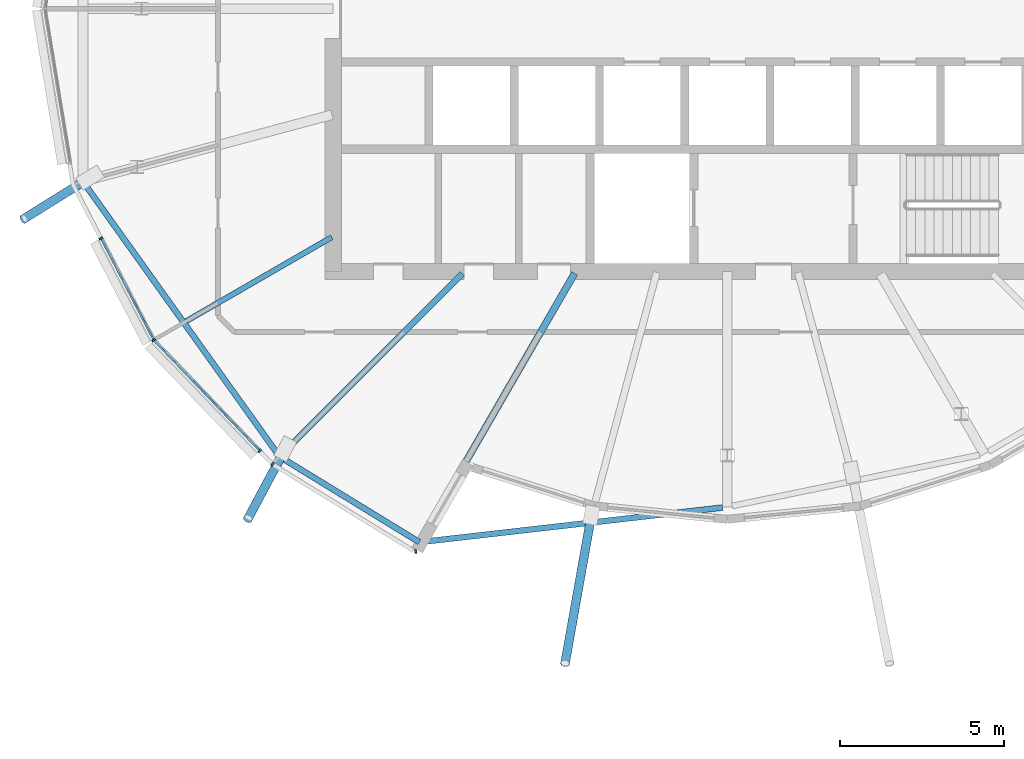
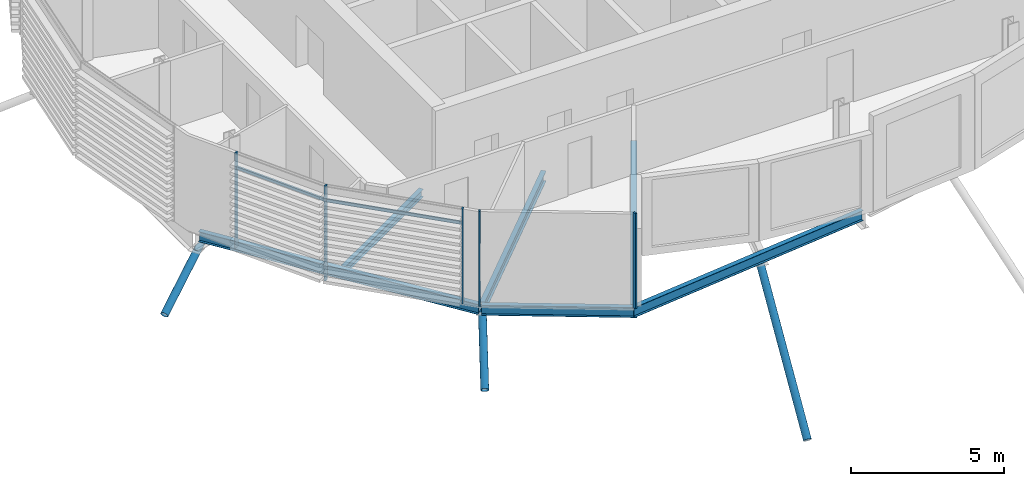
# One storey, part 3 of 35: 10 members, 6 beams, 1 element without a shape of its own.
"""IFC4 building model written with IfcOpenShell, lengths in metres."""

from ifc_helpers import new_model, si_unit, direction, frame, origin, origin_2d, place, context, subcontext, project, spatial, rectangle, hollow_circle, i_section, extrude, clip, halfspace, material, material_profile, profile_set, type_object, element, aggregate, save


model = new_model("IFC4")

# Units and contexts
model_context = context("Model", 3, precision=1e-05, world=origin(), true_north=direction((0.0, 1.0)))
body_context = subcontext(model_context, "Body", "Model", "MODEL_VIEW")
ifc_project = project(units=[si_unit("LENGTHUNIT", "METRE"), si_unit("AREAUNIT", "SQUARE_METRE"), si_unit("VOLUMEUNIT", "CUBIC_METRE"), si_unit("PLANEANGLEUNIT", "RADIAN"), si_unit("MASSUNIT", "GRAM", prefix="KILO")], contexts=[model_context])

# Site, building, storey
site_placement = place(None, origin())
site = spatial("IfcSite", under=ifc_project, at=site_placement, CompositionType="ELEMENT")
building_placement = place(site_placement, origin())
building = spatial("IfcBuilding", under=site, at=building_placement, Name="Rimbun Link Towers", CompositionType="ELEMENT")
storey_placement = place(building_placement, frame((0.0, 0.0, 225.699951171875)))
storey = spatial("IfcBuildingStorey", under=building, at=storey_placement, Name="L55", CompositionType="ELEMENT", Elevation=225.699951171875)

# Curtain wall, members
ifc_material_1 = material(Name="Aluminium 6063-T6 and low-iron glass", Category="aluminium")
curtain_wall_type = type_object("IfcCurtainWallType", Name="CW1-Z4 unitised vision wall (zone 4)", PredefinedType="NOTDEFINED", material=ifc_material_1)
curtain_wall_placement = place(storey_placement, origin())
curtain_wall = element("IfcCurtainWall", 1, at=curtain_wall_placement, inside=storey, type_object=curtain_wall_type, Name="CW1 L55 T1", PredefinedType="NOTDEFINED")
ifc_material_2 = material(Name="Aluminium 6063-T6", Category="aluminium")
ifc_material_profile_1 = material_profile(ifc_material_2, rectangle(XDim=0.1201171875, YDim=0.06005859375, at=origin_2d()), Name="MULLION 60X120")
ifc_profile_set_1 = profile_set([ifc_material_profile_1], Name="Aluminium 6063-T6")
member_type_1 = type_object("IfcMemberType", Name="CW1 mullion 60X120", PredefinedType="MULLION", material=ifc_profile_set_1)
member_1_placement = place(storey_placement, frame((-49.217041015625, -10.09130859375, 0.0), z_axis=(0.0, 0.0, 1.0), x_axis=(-0.813353544339, -0.581769724128, 0.0)))
member_1 = element("IfcMember", 2, at=member_1_placement, type_object=member_type_1, Name="CW1 mullion", PredefinedType="MULLION", context=body_context, shape_type="SweptSolid", body=[
    extrude(rectangle(XDim=0.1201171875, YDim=0.06005859375, at=origin_2d()), origin(), (0.0, 0.0, 1.0), 3.800048828125),
])
member_2_placement = place(storey_placement, frame((-50.8203125, -6.994140625, 0.0), z_axis=(0.0, 0.0, 1.0), x_axis=(-0.888152943593, -0.459547983117, 0.0)))
member_2 = element("IfcMember", 3, at=member_2_placement, type_object=member_type_1, Name="CW1 mullion", PredefinedType="MULLION", context=body_context, shape_type="SweptSolid", body=[
    extrude(rectangle(XDim=0.1201171875, YDim=0.06005859375, at=origin_2d()), origin(), (0.0, 0.0, 1.0), 3.800048828125),
])
member_3_placement = place(storey_placement, frame((-45.989013671875, -13.45947265625, 0.0), z_axis=(0.0, 0.0, 1.0), x_axis=(-0.721853472084, -0.692045926829, 0.0)))
member_3 = element("IfcMember", 4, at=member_3_placement, type_object=member_type_1, Name="CW1 mullion", PredefinedType="MULLION", context=body_context, shape_type="SweptSolid", body=[
    extrude(rectangle(XDim=0.1201171875, YDim=0.06005859375, at=origin_2d()), origin(), (0.0, 0.0, 1.0), 3.800048828125),
])
member_4_placement = place(storey_placement, frame((-41.239501953125, -16.52001953125, 0.0), z_axis=(0.0, 0.0, 1.0), x_axis=(0.245735205797, -0.969336994359, 0.0)))
member_4 = element("IfcMember", 5, at=member_4_placement, type_object=member_type_1, Name="CW1 mullion", PredefinedType="MULLION", context=body_context, shape_type="SweptSolid", body=[
    extrude(rectangle(XDim=0.1201171875, YDim=0.06005859375, at=origin_2d()), origin(), (0.0, 0.0, 1.0), 3.800048828125),
])
member_5_placement = place(storey_placement, frame((-45.596435546875, -13.8662109375, 0.0), z_axis=(0.0, 0.0, 1.0), x_axis=(-0.523236839844, -0.852187308888, 0.0)))
member_5 = element("IfcMember", 6, at=member_5_placement, type_object=member_type_1, Name="CW1 mullion", PredefinedType="MULLION", context=body_context, shape_type="SweptSolid", body=[
    extrude(rectangle(XDim=0.1201171875, YDim=0.06005859375, at=origin_2d()), origin(), (0.0, 0.0, 1.0), 3.800048828125),
])
ifc_material_3 = material(Name="Aluminium 6063-T6", Category="aluminium")
ifc_material_profile_2 = material_profile(ifc_material_3, rectangle(XDim=0.06005859375, YDim=0.1201171875, at=origin_2d()), Name="TRANSOM 60X120")
ifc_profile_set_2 = profile_set([ifc_material_profile_2], Name="Aluminium 6063-T6")
member_type_2 = type_object("IfcMemberType", Name="CW1 transom 60X120", PredefinedType="USERDEFINED", material=ifc_profile_set_2)
member_6_placement = place(storey_placement, frame((-49.233642578125, -10.056396484375, 3.199951171875), z_axis=(-0.459566661911, 0.888143278565, 0.0), x_axis=(-0.888143278565, -0.459566661911, 0.0)))
member_6 = element("IfcMember", 7, at=member_6_placement, type_object=member_type_2, Name="CW1 transom", ObjectType="TRANSOM", PredefinedType="USERDEFINED", context=body_context, shape_type="SweptSolid", body=[
    extrude(rectangle(XDim=0.06005859375, YDim=0.1201171875, at=origin_2d()), origin(), (0.0, 0.0, 1.0), 3.4189453125),
])
member_7_placement = place(storey_placement, frame((-46.00830078125, -13.4365234375, 3.199951171875), z_axis=(-0.692051852121, 0.721847791418, 0.0), x_axis=(-0.721847791418, -0.692051852121, 0.0)))
member_7 = element("IfcMember", 8, at=member_7_placement, type_object=member_type_2, Name="CW1 transom", ObjectType="TRANSOM", PredefinedType="USERDEFINED", context=body_context, shape_type="SweptSolid", body=[
    extrude(rectangle(XDim=0.06005859375, YDim=0.1201171875, at=origin_2d()), origin(), (0.0, 0.0, 1.0), 4.5966796875),
])
aggregate(curtain_wall, [member_1, member_2, member_3, member_4, member_5, member_6, member_7])

# Members
ifc_material_4 = material(Name="Steel S355J2H", Category="steel")
ifc_material_profile_3 = material_profile(ifc_material_4, hollow_circle(Radius=0.136474609375, WallThickness=0.012451171875, at=origin_2d()), Name="CHS 273x12.5")
ifc_profile_set_3 = profile_set([ifc_material_profile_3], Name="Steel S355J2H")
member_type_3 = type_object("IfcMemberType", Name="Floor edge link CHS 273x12.5", PredefinedType="BRACE", material=ifc_profile_set_3)
member_8_placement = place(storey_placement, frame((-51.32177734375, -5.244140625, -1.101806640625), z_axis=(-0.756129769658, -0.471620925618, -0.453697557803), x_axis=(0.529223919494, -0.848482199598, 0.0)))
element("IfcMember", 9, at=member_8_placement, inside=storey, type_object=member_type_3, Name="Floor edge link T1 L55 13", PredefinedType="BRACE", context=body_context, shape_type="Clipping", body=[
    clip(extrude(hollow_circle(Radius=0.136474609375, WallThickness=0.012451171875, at=origin_2d()), frame((0.0, 0.0, -0.558349609375)), (0.0, 0.0, 1.0), 3.037353515625), halfspace(frame((0.0, 0.0, -0.2626953125), z_axis=(0.0, 0.891155724912, -0.453697557803)), False)),
])
member_9_placement = place(storey_placement, frame((-45.282470703125, -13.532470703125, -0.661865234375), z_axis=(-0.400322430345, -0.749653564697, -0.527030819497), x_axis=(0.882105008873, -0.471052813727, 0.0)))
element("IfcMember", 10, at=member_9_placement, inside=storey, type_object=member_type_3, Name="Floor edge link T1 L55 15", PredefinedType="BRACE", context=body_context, shape_type="Clipping", body=[
    clip(extrude(hollow_circle(Radius=0.136474609375, WallThickness=0.012451171875, at=origin_2d()), frame((0.0, 0.0, -0.459228515625)), (0.0, 0.0, 1.0), 3.15478515625), halfspace(frame((0.0, 0.0, -0.21533203125), z_axis=(0.0, 0.849846171551, -0.527030819497)), False)),
])
member_10_placement = place(storey_placement, frame((-35.905029296875, -15.506591796875, -0.775634765625), z_axis=(-0.130568529088, -0.733204947556, -0.667354751307), x_axis=(0.984511330804, -0.175320961434, 0.0)))
element("IfcMember", 11, at=member_10_placement, inside=storey, type_object=member_type_3, Name="Floor edge link T1 L55 17", PredefinedType="BRACE", context=body_context, shape_type="Clipping", body=[
    clip(extrude(hollow_circle(Radius=0.136474609375, WallThickness=0.012451171875, at=origin_2d()), frame((0.0, 0.0, -0.319580078125)), (0.0, 0.0, 1.0), 6.359130859375), halfspace(frame((0.0, 0.0, -0.150634765625), z_axis=(0.0, 0.744739978723, -0.667354751307)), False)),
])

# Beams
ifc_material_5 = material(Name="Steel S355J2", Category="steel")
ifc_material_profile_4 = material_profile(ifc_material_5, i_section(OverallWidth=0.1650390625, OverallDepth=0.303466796875, WebThickness=0.006103515625, FlangeThickness=0.01025390625, at=origin_2d()), Name="UB 305x165x40")
ifc_profile_set_4 = profile_set([ifc_material_profile_4], Name="Steel S355J2")
beam_type_1 = type_object("IfcBeamType", Name="UB 305x165x40", PredefinedType="BEAM", material=ifc_profile_set_4)
beam_1_placement = place(storey_placement, frame((-43.7919921875, -6.952392578125, -0.291748046875), z_axis=(-0.866016235635, -0.500015879365, 0.0), x_axis=(0.500015879365, -0.866016235635, 0.0)))
element("IfcBeam", 12, at=beam_1_placement, inside=storey, type_object=beam_type_1, Name="Radial beam T1 L55 14", PredefinedType="BEAM", context=body_context, shape_type="SweptSolid", body=[
    extrude(i_section(OverallWidth=0.1650390625, OverallDepth=0.303466796875, WebThickness=0.006103515625, FlangeThickness=0.01025390625, at=origin_2d()), origin(), (0.0, 0.0, 1.0), 5.113525390625),
])
ifc_material_6 = material(Name="Steel S355J2", Category="steel")
ifc_material_profile_5 = material_profile(ifc_material_6, i_section(OverallWidth=0.177978515625, OverallDepth=0.406494140625, WebThickness=0.0078125, FlangeThickness=0.0126953125, at=origin_2d()), Name="UB 406x178x60")
ifc_profile_set_5 = profile_set([ifc_material_profile_5], Name="Steel S355J2")
beam_type_2 = type_object("IfcBeamType", Name="UB 406x178x60", PredefinedType="BEAM", material=ifc_profile_set_5)
beam_2_placement = place(storey_placement, frame((-39.813720703125, -8.063720703125, -0.34326171875), z_axis=(-0.707106781187, -0.707106781187, 0.0), x_axis=(0.707106781187, -0.707106781187, 0.0)))
element("IfcBeam", 13, at=beam_2_placement, inside=storey, type_object=beam_type_2, Name="Radial beam T1 L55 15", PredefinedType="BEAM", context=body_context, shape_type="SweptSolid", body=[
    extrude(i_section(OverallWidth=0.177978515625, OverallDepth=0.406494140625, WebThickness=0.0078125, FlangeThickness=0.0126953125, at=origin_2d()), origin(), (0.0, 0.0, 1.0), 7.783935546875),
])
beam_3_placement = place(storey_placement, frame((-51.27880859375, -5.385009765625, -0.34326171875), z_axis=(0.581495601018, -0.813549547352, 0.0), x_axis=(0.813549547352, 0.581495601018, 0.0)))
element("IfcBeam", 14, at=beam_3_placement, inside=storey, type_object=beam_type_2, Name="Edge beam T1 L55 13-15", PredefinedType="BEAM", context=body_context, shape_type="SweptSolid", body=[
    extrude(i_section(OverallWidth=0.177978515625, OverallDepth=0.406494140625, WebThickness=0.0078125, FlangeThickness=0.0126953125, at=origin_2d()), origin(), (0.0, 0.0, 1.0), 10.04736328125),
])
beam_4_placement = place(storey_placement, frame((-45.38232421875, -13.6337890625, -0.34326171875), z_axis=(0.852724993044, -0.522360111645, 0.0), x_axis=(0.522360111645, 0.852724993044, 0.0)))
element("IfcBeam", 15, at=beam_4_placement, inside=storey, type_object=beam_type_2, Name="Edge beam T1 L55 15", PredefinedType="BEAM", context=body_context, shape_type="SweptSolid", body=[
    extrude(i_section(OverallWidth=0.177978515625, OverallDepth=0.406494140625, WebThickness=0.0078125, FlangeThickness=0.0126953125, at=origin_2d()), origin(), (0.0, 0.0, 1.0), 4.98974609375),
])
beam_5_placement = place(storey_placement, frame((-41.12548828125, -16.240478515625, -0.34326171875), z_axis=(0.993532333769, 0.113549556387, 0.0), x_axis=(-0.113549556387, 0.993532333769, 0.0)))
element("IfcBeam", 16, at=beam_5_placement, inside=storey, type_object=beam_type_2, Name="Edge beam T1 L55 16-18", PredefinedType="BEAM", context=body_context, shape_type="SweptSolid", body=[
    extrude(i_section(OverallWidth=0.177978515625, OverallDepth=0.406494140625, WebThickness=0.0078125, FlangeThickness=0.0126953125, at=origin_2d()), origin(), (0.0, 0.0, 1.0), 9.288330078125),
])
ifc_material_7 = material(Name="Steel S355J2", Category="steel")
ifc_material_profile_6 = material_profile(ifc_material_7, i_section(OverallWidth=0.209228515625, OverallDepth=0.533203125, WebThickness=0.010009765625, FlangeThickness=0.015625, at=origin_2d()), Name="UB 533x210x92")
ifc_profile_set_6 = profile_set([ifc_material_profile_6], Name="Steel S355J2")
beam_type_3 = type_object("IfcBeamType", Name="UB 533x210x92", PredefinedType="BEAM", material=ifc_profile_set_6)
beam_6_placement = place(storey_placement, frame((-36.3994140625, -8.05322265625, -0.406494140625), z_axis=(-0.500003052504, -0.866023641413, 0.0), x_axis=(0.866023641413, -0.500003052504, 0.0)))
element("IfcBeam", 17, at=beam_6_placement, inside=storey, type_object=beam_type_3, Name="Radial beam T1 L55 16", PredefinedType="BEAM", context=body_context, shape_type="SweptSolid", body=[
    extrude(i_section(OverallWidth=0.209228515625, OverallDepth=0.533203125, WebThickness=0.010009765625, FlangeThickness=0.015625, at=origin_2d()), origin(), (0.0, 0.0, 1.0), 9.3642578125),
])

save(model, "model.ifc")
